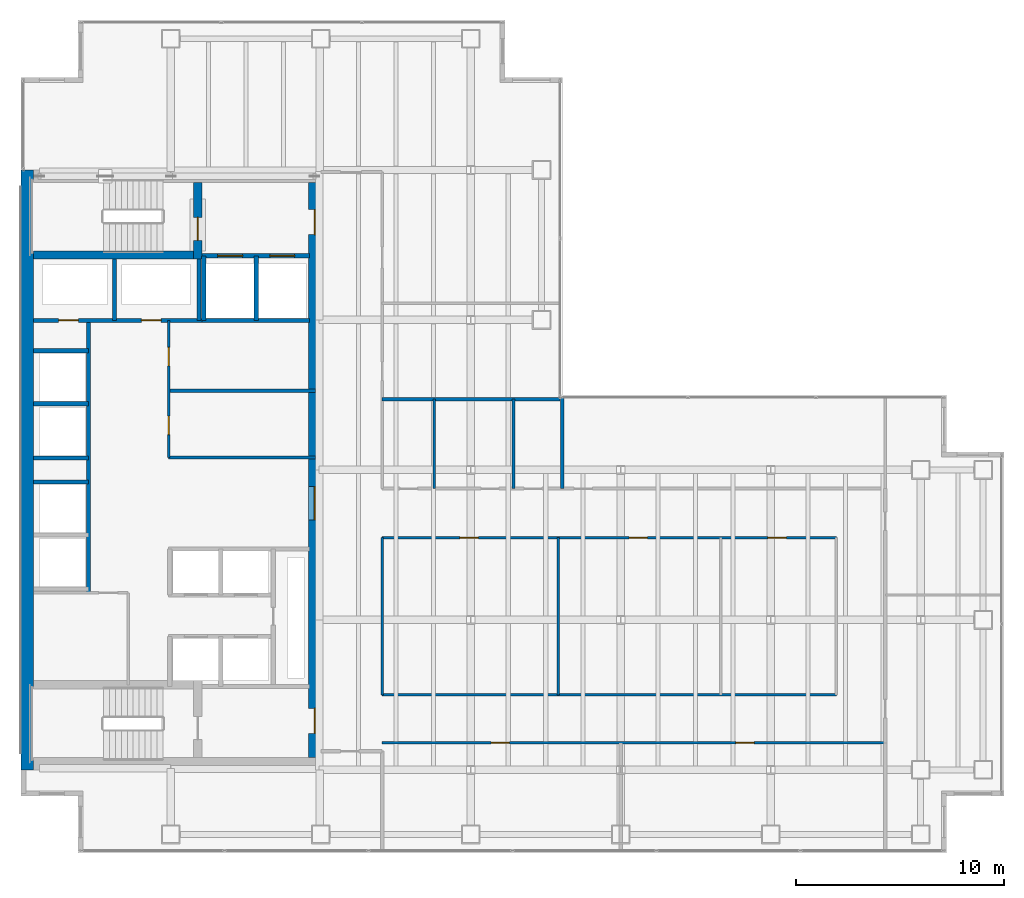
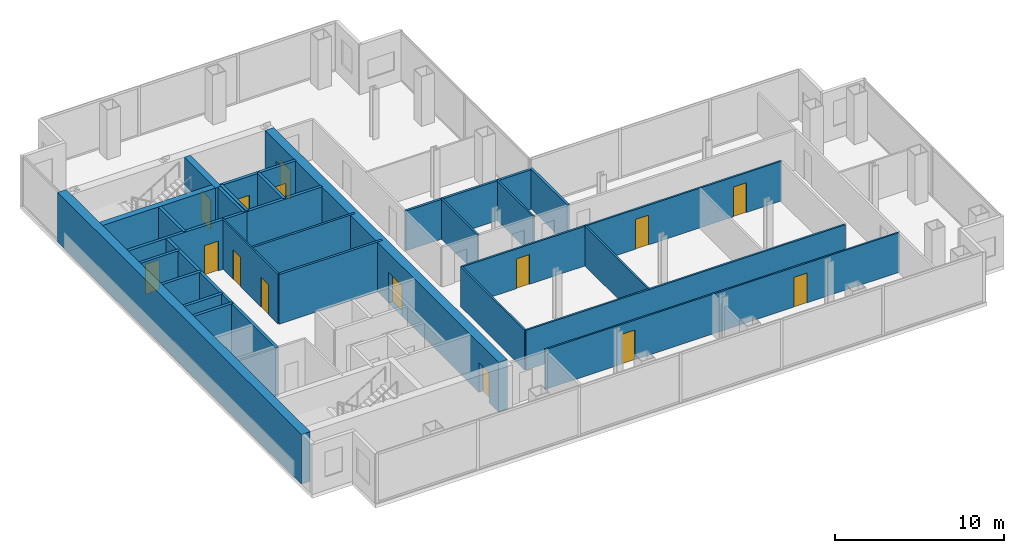
# One storey, part 21 of 24: 28 walls, 15 doors, 15 openings.
"""IFC4 building model written with IfcOpenShell, lengths in metres."""

from ifc_helpers import new_model, si_unit, direction, frame, frame_2d, origin, place, context, subcontext, project, spatial, rectangle, extrude, material, layer, layer_set, type_object, element, fill, save


model = new_model("IFC4")

# Units and contexts
model_context = context("Model", 3, precision=1e-05, world=origin(), true_north=direction((0.0, 1.0)))
body_context = subcontext(model_context, "Body", "Model", "MODEL_VIEW")
ifc_project = project(units=[si_unit("LENGTHUNIT", "METRE"), si_unit("AREAUNIT", "SQUARE_METRE"), si_unit("VOLUMEUNIT", "CUBIC_METRE"), si_unit("PLANEANGLEUNIT", "RADIAN"), si_unit("MASSUNIT", "GRAM", prefix="KILO")], contexts=[model_context])

# Site, building, storey
site_placement = place(None, origin())
site = spatial("IfcSite", under=ifc_project, at=site_placement, CompositionType="ELEMENT")
building_placement = place(site_placement, origin())
building = spatial("IfcBuilding", under=site, at=building_placement, Name="Cobrela Telecom Tower", CompositionType="ELEMENT")
storey_placement = place(building_placement, frame((0.0, 0.0, 121.449951171875)))
storey = spatial("IfcBuildingStorey", under=building, at=storey_placement, Name="L30", CompositionType="ELEMENT", Elevation=121.449951171875)

# Wall
ifc_material_1 = material(Name="Concrete C50/60", Category="concrete")
ifc_layer_1 = layer(ifc_material_1, 0.60009765625)
ifc_layer_set_1 = layer_set([ifc_layer_1], Name="Concrete C50/60")
wall_type_1 = type_object("IfcWallType", Name="WALL-CORE-C50-600", PredefinedType="SHEAR", material=ifc_layer_set_1)
wall_1_placement = place(storey_placement, frame((0.300048828125, 7.199951171875, 0.0), z_axis=(0.0, 0.0, 1.0), x_axis=(0.0, 1.0, 0.0)))
element("IfcWall", 1, at=wall_1_placement, inside=storey, type_object=wall_type_1, Name="L30 West Core Shear Wall", PredefinedType="SHEAR", context=body_context, shape_type="SweptSolid", body=[
    extrude(rectangle(XDim=28.800048828125, YDim=0.60009765625, at=frame_2d((14.39990234375, 0.0))), origin(), (0.0, 0.0, 1.0), 3.580078125),
])

# Wall, openings, doors
wall_2_placement = place(storey_placement, frame((14.10009765625, 35.39990234375, 0.0), z_axis=(0.0, 0.0, 1.0), x_axis=(0.0, -1.0, 0.0)))
wall_2 = element("IfcWall", 2, at=wall_2_placement, inside=storey, type_object=wall_type_1, Name="L30 East Core Shear Wall", PredefinedType="SHEAR", context=body_context, shape_type="SweptSolid", body=[
    extrude(rectangle(XDim=27.599853515625, YDim=0.60009765625, at=frame_2d((13.7998046875, 0.0))), origin(), (0.0, 0.0, 1.0), 3.580078125),
])
opening_1_placement = place(wall_2_placement, frame((1.300048828125, 0.0, 0.0)))
opening_1 = element("IfcOpeningElement", 3, at=opening_1_placement, cuts=wall_2, Name="Opening DR-19", PredefinedType="OPENING", context=body_context, shape_type="SweptSolid", body=[
    extrude(rectangle(XDim=1.199951171875, YDim=2.14990234375, at=frame_2d((0.60009765625, 1.074951171875))), frame((0.0, 0.31201171875, 0.0), z_axis=(0.0, -1.0, 0.0), x_axis=(1.0, 0.0, 0.0)), (0.0, 0.0, 1.0), 0.6240234375),
])
opening_2_placement = place(wall_2_placement, frame((25.25, 0.0, 0.0)))
opening_2 = element("IfcOpeningElement", 4, at=opening_2_placement, cuts=wall_2, Name="Opening DR-19", PredefinedType="OPENING", context=body_context, shape_type="SweptSolid", body=[
    extrude(rectangle(XDim=1.199951171875, YDim=2.14990234375, at=frame_2d((0.60009765625, 1.074951171875))), frame((0.0, 0.31201171875, 0.0), z_axis=(0.0, -1.0, 0.0), x_axis=(1.0, 0.0, 0.0)), (0.0, 0.0, 1.0), 0.6240234375),
])
opening_3_placement = place(wall_2_placement, frame((14.60009765625, 0.0, 0.0)))
opening_3 = element("IfcOpeningElement", 5, at=opening_3_placement, cuts=wall_2, Name="Opening DR-51", PredefinedType="OPENING", context=body_context, shape_type="SweptSolid", body=[
    extrude(rectangle(XDim=1.60009765625, YDim=2.199951171875, at=frame_2d((0.800048828125, 1.10009765625))), frame((0.0, 0.31201171875, 0.0), z_axis=(0.0, -1.0, 0.0), x_axis=(1.0, 0.0, 0.0)), (0.0, 0.0, 1.0), 0.6240234375),
])
ifc_material_2 = material(Name="Steel ASTM A36", Category="steel")
door_type_1 = type_object("IfcDoorType", Name="DOOR-FD60-1200", OperationType="SINGLE_SWING_LEFT", PredefinedType="DOOR", material=ifc_material_2)
door_1_placement = place(opening_1_placement, origin())
door_1 = element("IfcDoor", 6, at=door_1_placement, inside=storey, type_object=door_type_1, Name="L30 Door DR-19", OperationType="SINGLE_SWING_LEFT", OverallHeight=2.14990234375, OverallWidth=1.199951171875, PredefinedType="DOOR", context=body_context, shape_type="SweptSolid", body=[
    extrude(rectangle(XDim=1.199951171875, YDim=2.14990234375, at=frame_2d((0.60009765625, 1.074951171875))), frame((0.0, 0.02490234375, 0.0), z_axis=(0.0, -1.0, 0.0), x_axis=(1.0, 0.0, 0.0)), (0.0, 0.0, 1.0), 0.050048828125),
])
fill(opening_1, door_1)
door_2_placement = place(opening_2_placement, origin())
door_2 = element("IfcDoor", 7, at=door_2_placement, inside=storey, type_object=door_type_1, Name="L30 Door DR-19", OperationType="SINGLE_SWING_RIGHT", OverallHeight=2.14990234375, OverallWidth=1.199951171875, PredefinedType="DOOR", context=body_context, shape_type="SweptSolid", body=[
    extrude(rectangle(XDim=1.199951171875, YDim=2.14990234375, at=frame_2d((0.60009765625, 1.074951171875))), frame((0.0, 0.02490234375, 0.0), z_axis=(0.0, -1.0, 0.0), x_axis=(1.0, 0.0, 0.0)), (0.0, 0.0, 1.0), 0.050048828125),
])
fill(opening_2, door_2)
door_type_2 = type_object("IfcDoorType", Name="DOOR-FD60-1600", OperationType="SINGLE_SWING_LEFT", PredefinedType="DOOR", material=ifc_material_2)
door_3_placement = place(opening_3_placement, origin())
door_3 = element("IfcDoor", 8, at=door_3_placement, inside=storey, type_object=door_type_2, Name="L30 Door DR-51", OperationType="DOUBLE_DOOR_SINGLE_SWING", OverallHeight=2.199951171875, OverallWidth=1.60009765625, PredefinedType="DOOR", context=body_context, shape_type="SweptSolid", body=[
    extrude(rectangle(XDim=1.60009765625, YDim=2.199951171875, at=frame_2d((0.800048828125, 1.10009765625))), frame((0.0, 0.02490234375, 0.0), z_axis=(0.0, -1.0, 0.0), x_axis=(1.0, 0.0, 0.0)), (0.0, 0.0, 1.0), 0.050048828125),
])
fill(opening_3, door_3)

ifc_material_3 = material(Name="Fire-Rated Gypsum Plasterboard")
ifc_layer_2 = layer(ifc_material_3, 0.110107421875)
ifc_layer_set_2 = layer_set([ifc_layer_2], Name="Fire-Rated Gypsum Plasterboard")
wall_type_2 = type_object("IfcWallType", Name="WALL-PART-110", PredefinedType="PARTITIONING", material=ifc_layer_set_2)
wall_3_placement = place(storey_placement, frame((7.10009765625, 22.199951171875, 0.0), z_axis=(0.0, 0.0, 1.0), x_axis=(0.0, 1.0, 0.0)))
wall_3 = element("IfcWall", 9, at=wall_3_placement, inside=storey, type_object=wall_type_2, Name="L30 Interior Partition CW-RECL-W", PredefinedType="PARTITIONING", context=body_context, shape_type="SweptSolid", body=[
    extrude(rectangle(XDim=6.580078125, YDim=0.110107421875, at=frame_2d((3.2900390625, 0.0))), origin(), (0.0, 0.0, 1.0), 3.580078125),
])
opening_4_placement = place(wall_3_placement, frame((1.10009765625, 0.0, 0.0)))
opening_4 = element("IfcOpeningElement", 10, at=opening_4_placement, cuts=wall_3, Name="Opening DR-39", PredefinedType="OPENING", context=body_context, shape_type="SweptSolid", body=[
    extrude(rectangle(XDim=0.8798828125, YDim=2.14990234375, at=frame_2d((0.43994140625, 1.074951171875))), frame((0.0, 0.06689453125, 0.0), z_axis=(0.0, -1.0, 0.0), x_axis=(1.0, 0.0, 0.0)), (0.0, 0.0, 1.0), 0.134033203125),
])
opening_5_placement = place(wall_3_placement, frame((4.39990234375, 0.0, 0.0)))
opening_5 = element("IfcOpeningElement", 11, at=opening_5_placement, cuts=wall_3, Name="Opening DR-39", PredefinedType="OPENING", context=body_context, shape_type="SweptSolid", body=[
    extrude(rectangle(XDim=0.8798828125, YDim=2.14990234375, at=frame_2d((0.43994140625, 1.074951171875))), frame((0.0, 0.06689453125, 0.0), z_axis=(0.0, -1.0, 0.0), x_axis=(1.0, 0.0, 0.0)), (0.0, 0.0, 1.0), 0.134033203125),
])
ifc_material_4 = material(Name="Solid Engineered Oak Timber", Category="wood")
door_type_3 = type_object("IfcDoorType", Name="DOOR-INT-880", OperationType="SINGLE_SWING_LEFT", PredefinedType="DOOR", material=ifc_material_4)
door_4_placement = place(opening_4_placement, origin())
door_4 = element("IfcDoor", 12, at=door_4_placement, inside=storey, type_object=door_type_3, Name="L30 Door DR-39", OperationType="SINGLE_SWING_RIGHT", OverallHeight=2.14990234375, OverallWidth=0.8798828125, PredefinedType="DOOR", context=body_context, shape_type="SweptSolid", body=[
    extrude(rectangle(XDim=0.8798828125, YDim=2.14990234375, at=frame_2d((0.43994140625, 1.074951171875))), frame((0.0, 0.02490234375, 0.0), z_axis=(0.0, -1.0, 0.0), x_axis=(1.0, 0.0, 0.0)), (0.0, 0.0, 1.0), 0.050048828125),
])
fill(opening_4, door_4)
door_5_placement = place(opening_5_placement, origin())
door_5 = element("IfcDoor", 13, at=door_5_placement, inside=storey, type_object=door_type_3, Name="L30 Door DR-39", OperationType="SINGLE_SWING_LEFT", OverallHeight=2.14990234375, OverallWidth=0.8798828125, PredefinedType="DOOR", context=body_context, shape_type="SweptSolid", body=[
    extrude(rectangle(XDim=0.8798828125, YDim=2.14990234375, at=frame_2d((0.43994140625, 1.074951171875))), frame((0.0, 0.02490234375, 0.0), z_axis=(0.0, -1.0, 0.0), x_axis=(1.0, 0.0, 0.0)), (0.0, 0.0, 1.0), 0.050048828125),
])
fill(opening_5, door_5)

wall_4_placement = place(storey_placement, frame((17.35009765625, 8.5, 0.0), z_axis=(0.0, 0.0, 1.0), x_axis=(1.0, 0.0, 0.0)))
wall_4 = element("IfcWall", 14, at=wall_4_placement, inside=storey, type_object=wall_type_2, Name="L30 Interior Partition W-US-S", PredefinedType="PARTITIONING", context=body_context, shape_type="SweptSolid", body=[
    extrude(rectangle(XDim=24.14990234375, YDim=0.110107421875, at=frame_2d((12.074951171875, 0.0))), origin(), (0.0, 0.0, 1.0), 2.869140625),
])
opening_6_placement = place(wall_4_placement, frame((5.22998046875, 0.0, 0.0)))
opening_6 = element("IfcOpeningElement", 15, at=opening_6_placement, cuts=wall_4, Name="Opening DR-39", PredefinedType="OPENING", context=body_context, shape_type="SweptSolid", body=[
    extrude(rectangle(XDim=0.8798828125, YDim=2.14990234375, at=frame_2d((0.43994140625, 1.074951171875))), frame((0.0, 0.06689453125, 0.0), z_axis=(0.0, -1.0, 0.0), x_axis=(1.0, 0.0, 0.0)), (0.0, 0.0, 1.0), 0.134033203125),
])
opening_7_placement = place(wall_4_placement, frame((16.97998046875, 0.0, 0.0)))
opening_7 = element("IfcOpeningElement", 16, at=opening_7_placement, cuts=wall_4, Name="Opening DR-39", PredefinedType="OPENING", context=body_context, shape_type="SweptSolid", body=[
    extrude(rectangle(XDim=0.8798828125, YDim=2.14990234375, at=frame_2d((0.43994140625, 1.074951171875))), frame((0.0, 0.06689453125, 0.0), z_axis=(0.0, -1.0, 0.0), x_axis=(1.0, 0.0, 0.0)), (0.0, 0.0, 1.0), 0.134033203125),
])
door_6_placement = place(opening_6_placement, origin())
door_6 = element("IfcDoor", 17, at=door_6_placement, inside=storey, type_object=door_type_3, Name="L30 Door DR-39", OperationType="SINGLE_SWING_LEFT", OverallHeight=2.14990234375, OverallWidth=0.8798828125, PredefinedType="DOOR", context=body_context, shape_type="SweptSolid", body=[
    extrude(rectangle(XDim=0.8798828125, YDim=2.14990234375, at=frame_2d((0.43994140625, 1.074951171875))), frame((0.0, 0.02490234375, 0.0), z_axis=(0.0, -1.0, 0.0), x_axis=(1.0, 0.0, 0.0)), (0.0, 0.0, 1.0), 0.050048828125),
])
fill(opening_6, door_6)
door_7_placement = place(opening_7_placement, origin())
door_7 = element("IfcDoor", 18, at=door_7_placement, inside=storey, type_object=door_type_3, Name="L30 Door DR-39", OperationType="SINGLE_SWING_RIGHT", OverallHeight=2.14990234375, OverallWidth=0.8798828125, PredefinedType="DOOR", context=body_context, shape_type="SweptSolid", body=[
    extrude(rectangle(XDim=0.8798828125, YDim=2.14990234375, at=frame_2d((0.43994140625, 1.074951171875))), frame((0.0, 0.02490234375, 0.0), z_axis=(0.0, -1.0, 0.0), x_axis=(1.0, 0.0, 0.0)), (0.0, 0.0, 1.0), 0.050048828125),
])
fill(opening_7, door_7)

# Walls
ifc_layer_3 = layer(ifc_material_3, 0.125)
ifc_layer_set_3 = layer_set([ifc_layer_3], Name="Fire-Rated Gypsum Plasterboard")
wall_type_3 = type_object("IfcWallType", Name="WALL-PART-125", PredefinedType="PARTITIONING", material=ifc_layer_set_3)
wall_5_placement = place(storey_placement, frame((17.35009765625, 10.800048828125, 0.0), z_axis=(0.0, 0.0, 1.0), x_axis=(0.0, 1.0, 0.0)))
element("IfcWall", 19, at=wall_5_placement, inside=storey, type_object=wall_type_3, Name="L30 Interior Partition W-ISL-W", PredefinedType="PARTITIONING", context=body_context, shape_type="SweptSolid", body=[
    extrude(rectangle(XDim=7.550048828125, YDim=0.125, at=frame_2d((3.77490234375, 0.0))), origin(), (0.0, 0.0, 1.0), 2.869140625),
])
wall_6_placement = place(storey_placement, frame((17.35009765625, 10.800048828125, 0.0), z_axis=(0.0, 0.0, 1.0), x_axis=(1.0, 0.0, 0.0)))
element("IfcWall", 20, at=wall_6_placement, inside=storey, type_object=wall_type_3, Name="L30 Interior Partition W-ISL-S", PredefinedType="PARTITIONING", context=body_context, shape_type="SweptSolid", body=[
    extrude(rectangle(XDim=21.7998046875, YDim=0.125, at=frame_2d((10.89990234375, 0.0))), origin(), (0.0, 0.0, 1.0), 2.869140625),
])

# Wall, openings, doors
wall_7_placement = place(storey_placement, frame((17.35009765625, 18.35009765625, 0.0), z_axis=(0.0, 0.0, 1.0), x_axis=(1.0, 0.0, 0.0)))
wall_7 = element("IfcWall", 21, at=wall_7_placement, inside=storey, type_object=wall_type_3, Name="L30 Interior Partition W-ISL-N", PredefinedType="PARTITIONING", context=body_context, shape_type="SweptSolid", body=[
    extrude(rectangle(XDim=21.7998046875, YDim=0.125, at=frame_2d((10.89990234375, 0.0))), origin(), (0.0, 0.0, 1.0), 2.869140625),
])
opening_8_placement = place(wall_7_placement, frame((3.72998046875, 0.0, 0.0)))
opening_8 = element("IfcOpeningElement", 22, at=opening_8_placement, cuts=wall_7, Name="Opening DR-39", PredefinedType="OPENING", context=body_context, shape_type="SweptSolid", body=[
    extrude(rectangle(XDim=0.8798828125, YDim=2.14990234375, at=frame_2d((0.43994140625, 1.074951171875))), frame((0.0, 0.074462890625, 0.0), z_axis=(0.0, -1.0, 0.0), x_axis=(1.0, 0.0, 0.0)), (0.0, 0.0, 1.0), 0.14892578125),
])
opening_9_placement = place(wall_7_placement, frame((11.85009765625, 0.0, 0.0)))
opening_9 = element("IfcOpeningElement", 23, at=opening_9_placement, cuts=wall_7, Name="Opening DR-39", PredefinedType="OPENING", context=body_context, shape_type="SweptSolid", body=[
    extrude(rectangle(XDim=0.8798828125, YDim=2.14990234375, at=frame_2d((0.43994140625, 1.074951171875))), frame((0.0, 0.074462890625, 0.0), z_axis=(0.0, -1.0, 0.0), x_axis=(1.0, 0.0, 0.0)), (0.0, 0.0, 1.0), 0.14892578125),
])
opening_10_placement = place(wall_7_placement, frame((18.52001953125, 0.0, 0.0)))
opening_10 = element("IfcOpeningElement", 24, at=opening_10_placement, cuts=wall_7, Name="Opening DR-39", PredefinedType="OPENING", context=body_context, shape_type="SweptSolid", body=[
    extrude(rectangle(XDim=0.8798828125, YDim=2.14990234375, at=frame_2d((0.43994140625, 1.074951171875))), frame((0.0, 0.074462890625, 0.0), z_axis=(0.0, -1.0, 0.0), x_axis=(1.0, 0.0, 0.0)), (0.0, 0.0, 1.0), 0.14892578125),
])
door_8_placement = place(opening_8_placement, origin())
door_8 = element("IfcDoor", 25, at=door_8_placement, inside=storey, type_object=door_type_3, Name="L30 Door DR-39", OperationType="SINGLE_SWING_LEFT", OverallHeight=2.14990234375, OverallWidth=0.8798828125, PredefinedType="DOOR", context=body_context, shape_type="SweptSolid", body=[
    extrude(rectangle(XDim=0.8798828125, YDim=2.14990234375, at=frame_2d((0.43994140625, 1.074951171875))), frame((0.0, 0.02490234375, 0.0), z_axis=(0.0, -1.0, 0.0), x_axis=(1.0, 0.0, 0.0)), (0.0, 0.0, 1.0), 0.050048828125),
])
fill(opening_8, door_8)
door_9_placement = place(opening_9_placement, origin())
door_9 = element("IfcDoor", 26, at=door_9_placement, inside=storey, type_object=door_type_3, Name="L30 Door DR-39", OperationType="SINGLE_SWING_RIGHT", OverallHeight=2.14990234375, OverallWidth=0.8798828125, PredefinedType="DOOR", context=body_context, shape_type="SweptSolid", body=[
    extrude(rectangle(XDim=0.8798828125, YDim=2.14990234375, at=frame_2d((0.43994140625, 1.074951171875))), frame((0.0, 0.02490234375, 0.0), z_axis=(0.0, -1.0, 0.0), x_axis=(1.0, 0.0, 0.0)), (0.0, 0.0, 1.0), 0.050048828125),
])
fill(opening_9, door_9)
door_10_placement = place(opening_10_placement, origin())
door_10 = element("IfcDoor", 27, at=door_10_placement, inside=storey, type_object=door_type_3, Name="L30 Door DR-39", OperationType="SINGLE_SWING_LEFT", OverallHeight=2.14990234375, OverallWidth=0.8798828125, PredefinedType="DOOR", context=body_context, shape_type="SweptSolid", body=[
    extrude(rectangle(XDim=0.8798828125, YDim=2.14990234375, at=frame_2d((0.43994140625, 1.074951171875))), frame((0.0, 0.02490234375, 0.0), z_axis=(0.0, -1.0, 0.0), x_axis=(1.0, 0.0, 0.0)), (0.0, 0.0, 1.0), 0.050048828125),
])
fill(opening_10, door_10)

# Walls
wall_8_placement = place(storey_placement, frame((25.800048828125, 10.800048828125, 0.0), z_axis=(0.0, 0.0, 1.0), x_axis=(0.0, 1.0, 0.0)))
element("IfcWall", 28, at=wall_8_placement, inside=storey, type_object=wall_type_3, Name="L30 Interior Partition W-ISLV-1", PredefinedType="PARTITIONING", context=body_context, shape_type="SweptSolid", body=[
    extrude(rectangle(XDim=7.550048828125, YDim=0.125, at=frame_2d((3.77490234375, 0.0))), origin(), (0.0, 0.0, 1.0), 2.869140625),
])
for number, where, z_axis, x_axis, name in (
    (29, (19.85009765625, 20.699951171875, 0.0), (0.0, 0.0, 1.0), (0.0, 1.0, 0.0), "L30 Interior Partition W-WC-V1"),
    (30, (23.64990234375, 20.699951171875, 0.0), (0.0, 0.0, 1.0), (0.0, 1.0, 0.0), "L30 Interior Partition W-WC-V2"),
):
    element("IfcWall", number, at=place(storey_placement, frame(where, z_axis=z_axis, x_axis=x_axis)), inside=storey, type_object=wall_type_3, Name=name, PredefinedType="PARTITIONING", context=body_context, shape_type="SweptSolid", body=[
        extrude(rectangle(XDim=4.300048828125, YDim=0.125, at=frame_2d((2.14990234375, 0.0))), origin(), (0.0, 0.0, 1.0), 2.869140625),
    ])
ifc_layer_4 = layer(ifc_material_3, 0.14990234375)
ifc_layer_set_4 = layer_set([ifc_layer_4], Name="Fire-Rated Gypsum Plasterboard")
wall_type_4 = type_object("IfcWallType", Name="WALL-PART-150", PredefinedType="PARTITIONING", material=ifc_layer_set_4)
wall_9_placement = place(storey_placement, frame((7.10009765625, 25.39990234375, 0.0), z_axis=(0.0, 0.0, 1.0), x_axis=(1.0, 0.0, 0.0)))
element("IfcWall", 31, at=wall_9_placement, inside=storey, type_object=wall_type_4, Name="L30 Interior Partition CW-RECL-H", PredefinedType="PARTITIONING", context=body_context, shape_type="SweptSolid", body=[
    extrude(rectangle(XDim=7.0498046875, YDim=0.14990234375, at=frame_2d((3.52490234375, 0.0))), origin(), (0.0, 0.0, 1.0), 3.580078125),
])
ifc_layer_5 = layer(ifc_material_3, 0.159912109375)
ifc_layer_set_5 = layer_set([ifc_layer_5], Name="Fire-Rated Gypsum Plasterboard")
wall_type_5 = type_object("IfcWallType", Name="WALL-PART-160", PredefinedType="PARTITIONING", material=ifc_layer_set_5)
wall_10_placement = place(storey_placement, frame((7.10009765625, 22.199951171875, 0.0), z_axis=(0.0, 0.0, 1.0), x_axis=(1.0, 0.0, 0.0)))
element("IfcWall", 32, at=wall_10_placement, inside=storey, type_object=wall_type_5, Name="L30 Interior Partition CW-RECL-S", PredefinedType="PARTITIONING", context=body_context, shape_type="SweptSolid", body=[
    extrude(rectangle(XDim=7.0498046875, YDim=0.159912109375, at=frame_2d((3.52490234375, 0.0))), origin(), (0.0, 0.0, 1.0), 3.580078125),
])
wall_11_placement = place(storey_placement, frame((17.35009765625, 25.0, 0.0), z_axis=(0.0, 0.0, 1.0), x_axis=(1.0, 0.0, 0.0)))
element("IfcWall", 33, at=wall_11_placement, inside=storey, type_object=wall_type_5, Name="L30 Interior Partition W-WC-N", PredefinedType="PARTITIONING", context=body_context, shape_type="SweptSolid", body=[
    extrude(rectangle(XDim=8.52978515625, YDim=0.159912109375, at=frame_2d((4.264892578125, 0.0))), origin(), (0.0, 0.0, 1.0), 2.869140625),
])
wall_12_placement = place(storey_placement, frame((26.0, 20.699951171875, 0.0), z_axis=(0.0, 0.0, 1.0), x_axis=(0.0, 1.0, 0.0)))
element("IfcWall", 34, at=wall_12_placement, inside=storey, type_object=wall_type_5, Name="L30 Interior Partition W-UEN-W", PredefinedType="PARTITIONING", context=body_context, shape_type="SweptSolid", body=[
    extrude(rectangle(XDim=4.380126953125, YDim=0.159912109375, at=frame_2d((2.18994140625, 0.0))), origin(), (0.0, 0.0, 1.0), 2.869140625),
])

# Wall, openings, doors
ifc_layer_6 = layer(ifc_material_3, 0.199951171875)
ifc_layer_set_6 = layer_set([ifc_layer_6], Name="Fire-Rated Gypsum Plasterboard")
wall_type_6 = type_object("IfcWallType", Name="WALL-SHAFT-200", PredefinedType="PARTITIONING", material=ifc_layer_set_6)
wall_13_placement = place(storey_placement, frame((8.699951171875, 31.8798828125, 0.0), z_axis=(0.0, 0.0, 1.0), x_axis=(1.0, 0.0, 0.0)))
wall_13 = element("IfcWall", 35, at=wall_13_placement, inside=storey, type_object=wall_type_6, Name="L30 Shaft Enclosure CW-FFL-S", PredefinedType="PARTITIONING", context=body_context, shape_type="SweptSolid", body=[
    extrude(rectangle(XDim=5.150146484375, YDim=0.199951171875, at=frame_2d((2.5751953125, 0.0))), origin(), (0.0, 0.0, 1.0), 3.580078125),
])
opening_11_placement = place(wall_13_placement, frame((0.75, 0.0, 0.0)))
opening_11 = element("IfcOpeningElement", 36, at=opening_11_placement, cuts=wall_13, Name="Opening LD-2", PredefinedType="OPENING", context=body_context, shape_type="SweptSolid", body=[
    extrude(rectangle(XDim=1.199951171875, YDim=2.199951171875, at=frame_2d((0.60009765625, 1.10009765625))), frame((0.0, 0.11181640625, 0.0), z_axis=(0.0, -1.0, 0.0), x_axis=(1.0, 0.0, 0.0)), (0.0, 0.0, 1.0), 0.223876953125),
])
opening_12_placement = place(wall_13_placement, frame((3.25, 0.0, 0.0)))
opening_12 = element("IfcOpeningElement", 37, at=opening_12_placement, cuts=wall_13, Name="Opening LD-2", PredefinedType="OPENING", context=body_context, shape_type="SweptSolid", body=[
    extrude(rectangle(XDim=1.199951171875, YDim=2.199951171875, at=frame_2d((0.60009765625, 1.10009765625))), frame((0.0, 0.11181640625, 0.0), z_axis=(0.0, -1.0, 0.0), x_axis=(1.0, 0.0, 0.0)), (0.0, 0.0, 1.0), 0.223876953125),
])
door_type_4 = type_object("IfcDoorType", Name="DOOR-LD-FFL", OperationType="SINGLE_SWING_LEFT", PredefinedType="DOOR", material=ifc_material_2)
door_11_placement = place(opening_11_placement, origin())
door_11 = element("IfcDoor", 38, at=door_11_placement, inside=storey, type_object=door_type_4, Name="L30 Lift Landing Door LD-2", OperationType="DOUBLE_DOOR_SLIDING", OverallHeight=2.199951171875, OverallWidth=1.199951171875, PredefinedType="DOOR", context=body_context, shape_type="SweptSolid", body=[
    extrude(rectangle(XDim=1.199951171875, YDim=2.199951171875, at=frame_2d((0.60009765625, 1.10009765625))), frame((0.0, 0.02490234375, 0.0), z_axis=(0.0, -1.0, 0.0), x_axis=(1.0, 0.0, 0.0)), (0.0, 0.0, 1.0), 0.050048828125),
])
fill(opening_11, door_11)
door_12_placement = place(opening_12_placement, origin())
door_12 = element("IfcDoor", 39, at=door_12_placement, inside=storey, type_object=door_type_4, Name="L30 Lift Landing Door LD-2", OperationType="DOUBLE_DOOR_SLIDING", OverallHeight=2.199951171875, OverallWidth=1.199951171875, PredefinedType="DOOR", context=body_context, shape_type="SweptSolid", body=[
    extrude(rectangle(XDim=1.199951171875, YDim=2.199951171875, at=frame_2d((0.60009765625, 1.10009765625))), frame((0.0, 0.02490234375, 0.0), z_axis=(0.0, -1.0, 0.0), x_axis=(1.0, 0.0, 0.0)), (0.0, 0.0, 1.0), 0.050048828125),
])
fill(opening_12, door_12)

# Walls
wall_14_placement = place(storey_placement, frame((8.699951171875, 28.780029296875, 0.0), z_axis=(0.0, 0.0, 1.0), x_axis=(1.0, 0.0, 0.0)))
element("IfcWall", 40, at=wall_14_placement, inside=storey, type_object=wall_type_6, Name="L30 Shaft Enclosure CW-FFL-S2", PredefinedType="PARTITIONING", context=body_context, shape_type="SweptSolid", body=[
    extrude(rectangle(XDim=5.150146484375, YDim=0.199951171875, at=frame_2d((2.5751953125, 0.0))), origin(), (0.0, 0.0, 1.0), 3.580078125),
])
for number, where, z_axis, x_axis, name in (
    (41, (8.780029296875, 28.780029296875, 0.0), (0.0, 0.0, 1.0), (0.0, 1.0, 0.0), "L30 Shaft Enclosure CW-FFL-W"),
    (42, (11.300048828125, 28.780029296875, 0.0), (0.0, 0.0, 1.0), (0.0, 1.0, 0.0), "L30 Shaft Enclosure CW-FFL-M"),
):
    element("IfcWall", number, at=place(storey_placement, frame(where, z_axis=z_axis, x_axis=x_axis)), inside=storey, type_object=wall_type_6, Name=name, PredefinedType="PARTITIONING", context=body_context, shape_type="SweptSolid", body=[
        extrude(rectangle(XDim=3.099853515625, YDim=0.199951171875, at=frame_2d((1.5498046875, 0.0))), origin(), (0.0, 0.0, 1.0), 3.580078125),
    ])

# Wall, openings, doors
wall_15_placement = place(storey_placement, frame((0.60009765625, 28.780029296875, 0.0), z_axis=(0.0, 0.0, 1.0), x_axis=(1.0, 0.0, 0.0)))
wall_15 = element("IfcWall", 43, at=wall_15_placement, inside=storey, type_object=wall_type_6, Name="L30 Shaft Enclosure CW-RIS-S", PredefinedType="PARTITIONING", context=body_context, shape_type="SweptSolid", body=[
    extrude(rectangle(XDim=8.179931640625, YDim=0.199951171875, at=frame_2d((4.08984375, 0.0))), origin(), (0.0, 0.0, 1.0), 3.580078125),
])
opening_13_placement = place(wall_15_placement, frame((1.2099609375, 0.0, 0.0)))
opening_13 = element("IfcOpeningElement", 44, at=opening_13_placement, cuts=wall_15, Name="Opening DR-65", PredefinedType="OPENING", context=body_context, shape_type="SweptSolid", body=[
    extrude(rectangle(XDim=0.949951171875, YDim=2.14990234375, at=frame_2d((0.47509765625, 1.074951171875))), frame((0.0, 0.11181640625, 0.0), z_axis=(0.0, -1.0, 0.0), x_axis=(1.0, 0.0, 0.0)), (0.0, 0.0, 1.0), 0.223876953125),
])
opening_14_placement = place(wall_15_placement, frame((5.18994140625, 0.0, 0.0)))
opening_14 = element("IfcOpeningElement", 45, at=opening_14_placement, cuts=wall_15, Name="Opening DR-65", PredefinedType="OPENING", context=body_context, shape_type="SweptSolid", body=[
    extrude(rectangle(XDim=0.949951171875, YDim=2.14990234375, at=frame_2d((0.47509765625, 1.074951171875))), frame((0.0, 0.11181640625, 0.0), z_axis=(0.0, -1.0, 0.0), x_axis=(1.0, 0.0, 0.0)), (0.0, 0.0, 1.0), 0.223876953125),
])
door_type_5 = type_object("IfcDoorType", Name="DOOR-FD60-950", OperationType="SINGLE_SWING_LEFT", PredefinedType="DOOR", material=ifc_material_2)
door_13_placement = place(opening_13_placement, origin())
door_13 = element("IfcDoor", 46, at=door_13_placement, inside=storey, type_object=door_type_5, Name="L30 Door DR-65", OperationType="SINGLE_SWING_LEFT", OverallHeight=2.14990234375, OverallWidth=0.949951171875, PredefinedType="DOOR", context=body_context, shape_type="SweptSolid", body=[
    extrude(rectangle(XDim=0.949951171875, YDim=2.14990234375, at=frame_2d((0.47509765625, 1.074951171875))), frame((0.0, 0.02490234375, 0.0), z_axis=(0.0, -1.0, 0.0), x_axis=(1.0, 0.0, 0.0)), (0.0, 0.0, 1.0), 0.050048828125),
])
fill(opening_13, door_13)
door_14_placement = place(opening_14_placement, origin())
door_14 = element("IfcDoor", 47, at=door_14_placement, inside=storey, type_object=door_type_5, Name="L30 Door DR-65", OperationType="SINGLE_SWING_RIGHT", OverallHeight=2.14990234375, OverallWidth=0.949951171875, PredefinedType="DOOR", context=body_context, shape_type="SweptSolid", body=[
    extrude(rectangle(XDim=0.949951171875, YDim=2.14990234375, at=frame_2d((0.47509765625, 1.074951171875))), frame((0.0, 0.02490234375, 0.0), z_axis=(0.0, -1.0, 0.0), x_axis=(1.0, 0.0, 0.0)), (0.0, 0.0, 1.0), 0.050048828125),
])
fill(opening_14, door_14)

# Walls
for number, where, z_axis, x_axis, name in (
    (48, (4.5, 28.780029296875, 0.0), (0.0, 0.0, 1.0), (0.0, 1.0, 0.0), "L30 Shaft Enclosure CW-RIS-M"),
    (49, (8.550048828125, 28.780029296875, 0.0), (0.0, 0.0, 1.0), (0.0, 1.0, 0.0), "L30 Shaft Enclosure CW-RIS-E"),
):
    element("IfcWall", number, at=place(storey_placement, frame(where, z_axis=z_axis, x_axis=x_axis)), inside=storey, type_object=wall_type_6, Name=name, PredefinedType="PARTITIONING", context=body_context, shape_type="SweptSolid", body=[
        extrude(rectangle(XDim=2.93994140625, YDim=0.199951171875, at=frame_2d((1.469970703125, 0.0))), origin(), (0.0, 0.0, 1.0), 3.580078125),
    ])
wall_16_placement = place(storey_placement, frame((3.25, 15.699951171875, 0.0), z_axis=(0.0, 0.0, 1.0), x_axis=(0.0, 1.0, 0.0)))
element("IfcWall", 50, at=wall_16_placement, inside=storey, type_object=wall_type_6, Name="L30 Shaft Enclosure CW-PLH-E", PredefinedType="PARTITIONING", context=body_context, shape_type="SweptSolid", body=[
    extrude(rectangle(XDim=13.080078125, YDim=0.199951171875, at=frame_2d((6.5400390625, 0.0))), origin(), (0.0, 0.0, 1.0), 3.580078125),
])
for number, where, z_axis, x_axis, name in (
    (51, (0.60009765625, 22.179931640625, 0.0), (0.0, 0.0, 1.0), (1.0, 0.0, 0.0), "L30 Shaft Enclosure CW-PLH-D11"),
    (52, (0.60009765625, 24.780029296875, 0.0), (0.0, 0.0, 1.0), (1.0, 0.0, 0.0), "L30 Shaft Enclosure CW-PLH-D12"),
    (53, (0.60009765625, 21.02001953125, 0.0), (0.0, 0.0, 1.0), (1.0, 0.0, 0.0), "L30 Shaft Enclosure CW-PLH-MID"),
    (54, (0.60009765625, 27.320068359375, 0.0), (0.0, 0.0, 1.0), (1.0, 0.0, 0.0), "L30 Shaft Enclosure CW-PLH-TOP"),
):
    element("IfcWall", number, at=place(storey_placement, frame(where, z_axis=z_axis, x_axis=x_axis)), inside=storey, type_object=wall_type_6, Name=name, PredefinedType="PARTITIONING", context=body_context, shape_type="SweptSolid", body=[
        extrude(rectangle(XDim=2.64990234375, YDim=0.199951171875, at=frame_2d((1.324951171875, 0.0))), origin(), (0.0, 0.0, 1.0), 3.580078125),
    ])
ifc_material_5 = material(Name="Concrete C40/50", Category="concrete")
ifc_layer_7 = layer(ifc_material_5, 0.39990234375)
ifc_layer_set_7 = layer_set([ifc_layer_7], Name="Concrete C40/50")
wall_type_7 = type_object("IfcWallType", Name="WALL-SHAFT-C40-400", PredefinedType="SHEAR", material=ifc_layer_set_7)
wall_17_placement = place(storey_placement, frame((0.60009765625, 31.919921875, 0.0), z_axis=(0.0, 0.0, 1.0), x_axis=(1.0, 0.0, 0.0)))
element("IfcWall", 55, at=wall_17_placement, inside=storey, type_object=wall_type_7, Name="L30 North Stair Shear Wall", PredefinedType="SHEAR", context=body_context, shape_type="SweptSolid", body=[
    extrude(rectangle(XDim=7.699951171875, YDim=0.39990234375, at=frame_2d((3.85009765625, 0.0))), origin(), (0.0, 0.0, 1.0), 3.580078125),
])

# Wall, opening, door
wall_18_placement = place(storey_placement, frame((8.5, 31.719970703125, 0.0), z_axis=(0.0, 0.0, 1.0), x_axis=(0.0, 1.0, 0.0)))
wall_18 = element("IfcWall", 56, at=wall_18_placement, inside=storey, type_object=wall_type_7, Name="L30 North Stair Lobby Shear Wall", PredefinedType="SHEAR", context=body_context, shape_type="SweptSolid", body=[
    extrude(rectangle(XDim=3.679931640625, YDim=0.39990234375, at=frame_2d((1.83984375, 0.0))), origin(), (0.0, 0.0, 1.0), 3.580078125),
])
opening_15_placement = place(wall_18_placement, frame((0.89990234375, 0.0, 0.0)))
opening_15 = element("IfcOpeningElement", 57, at=opening_15_placement, cuts=wall_18, Name="Opening DR-59", PredefinedType="OPENING", context=body_context, shape_type="SweptSolid", body=[
    extrude(rectangle(XDim=1.10009765625, YDim=2.14990234375, at=frame_2d((0.550048828125, 1.074951171875))), frame((0.0, 0.2119140625, 0.0), z_axis=(0.0, -1.0, 0.0), x_axis=(1.0, 0.0, 0.0)), (0.0, 0.0, 1.0), 0.423828125),
])
door_type_6 = type_object("IfcDoorType", Name="DOOR-FD60-1100", OperationType="SINGLE_SWING_LEFT", PredefinedType="DOOR", material=ifc_material_2)
door_15_placement = place(opening_15_placement, origin())
door_15 = element("IfcDoor", 58, at=door_15_placement, inside=storey, type_object=door_type_6, Name="L30 Door DR-59", OperationType="SINGLE_SWING_RIGHT", OverallHeight=2.14990234375, OverallWidth=1.10009765625, PredefinedType="DOOR", context=body_context, shape_type="SweptSolid", body=[
    extrude(rectangle(XDim=1.10009765625, YDim=2.14990234375, at=frame_2d((0.550048828125, 1.074951171875))), frame((0.0, 0.02490234375, 0.0), z_axis=(0.0, -1.0, 0.0), x_axis=(1.0, 0.0, 0.0)), (0.0, 0.0, 1.0), 0.050048828125),
])
fill(opening_15, door_15)

save(model, "model.ifc")
